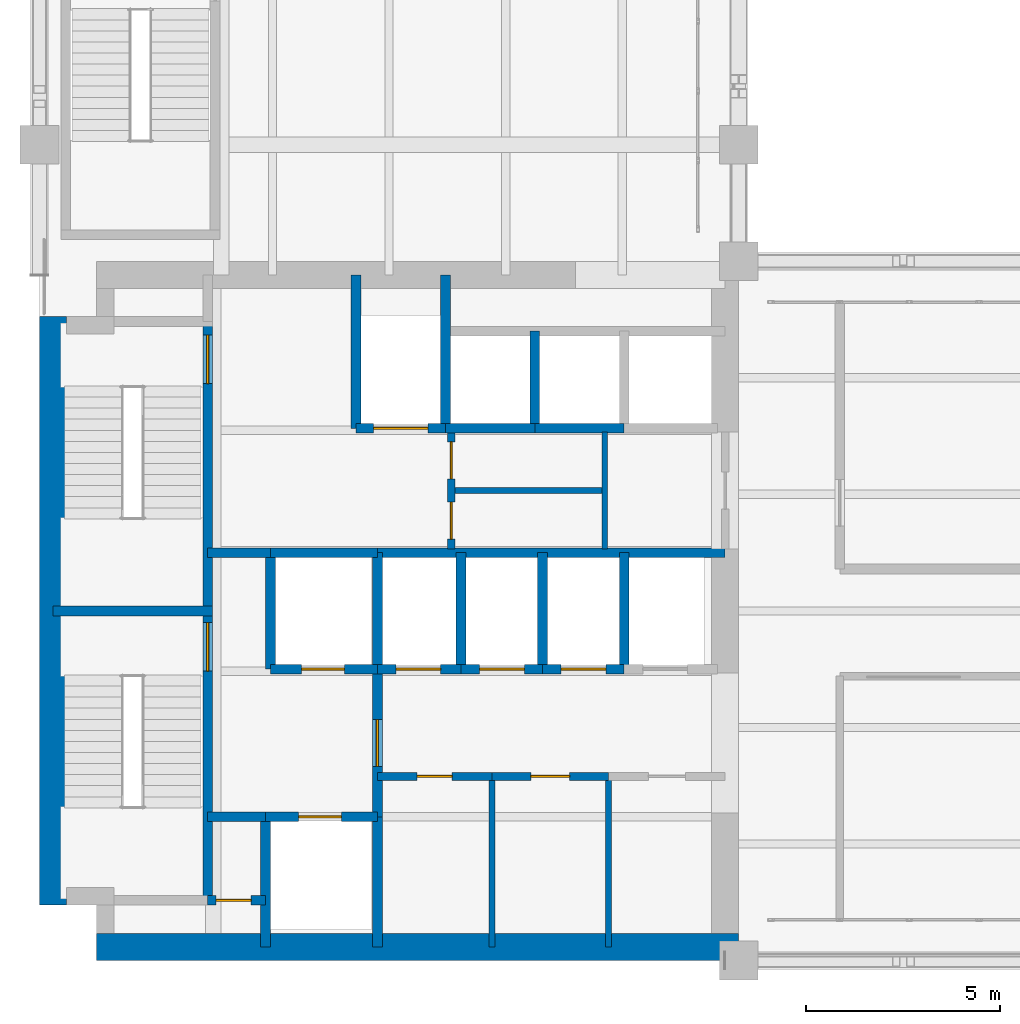
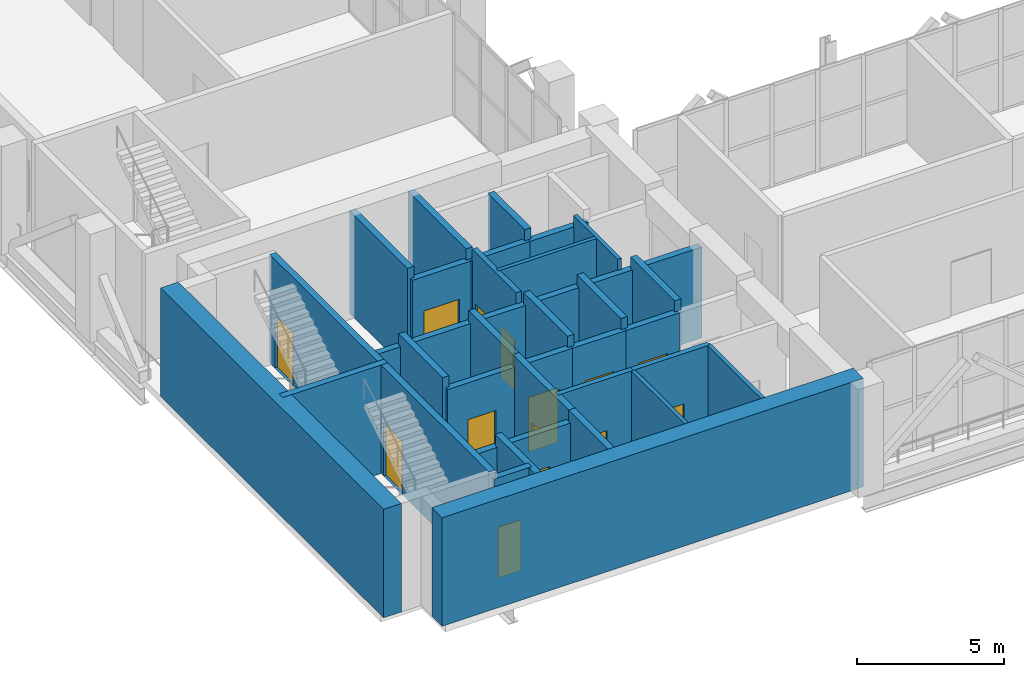
# One storey, part 23 of 27: 36 walls, 14 doors, 14 openings.
"""IFC4 building model written with IfcOpenShell, lengths in metres."""

from ifc_helpers import new_model, si_unit, direction, frame, frame_2d, origin, place, context, subcontext, project, spatial, rectangle, extrude, material, layer, layer_set, type_object, element, fill, save


model = new_model("IFC4")

# Units and contexts
model_context = context("Model", 3, precision=1e-05, world=origin(), true_north=direction((0.0, 1.0)))
body_context = subcontext(model_context, "Body", "Model", "MODEL_VIEW")
ifc_project = project(units=[si_unit("LENGTHUNIT", "METRE"), si_unit("AREAUNIT", "SQUARE_METRE"), si_unit("VOLUMEUNIT", "CUBIC_METRE"), si_unit("PLANEANGLEUNIT", "RADIAN"), si_unit("MASSUNIT", "GRAM", prefix="KILO")], contexts=[model_context])

# Site, building, storey
site_placement = place(None, origin())
site = spatial("IfcSite", under=ifc_project, at=site_placement, CompositionType="ELEMENT")
building_placement = place(site_placement, origin())
building = spatial("IfcBuilding", under=site, at=building_placement, Name="Mawjdan Bourse Tower", CompositionType="ELEMENT")
storey_placement = place(building_placement, frame((0.0, 0.0, 155.699951171875)))
storey = spatial("IfcBuildingStorey", under=building, at=storey_placement, Name="L37", CompositionType="ELEMENT", Elevation=155.699951171875)

# Wall, opening, door
ifc_material_1 = material(Name="Gypsum Fireboard Assembly")
ifc_layer_1 = layer(ifc_material_1, 0.199951171875)
ifc_layer_set_1 = layer_set([ifc_layer_1], Name="Gypsum Fireboard Assembly")
wall_type_1 = type_object("IfcWallType", Name="WL-CMP-200", PredefinedType="PARTITIONING", material=ifc_layer_set_1)
wall_1_placement = place(storey_placement, frame((14.699951171875, 7.739990234375, 0.0), z_axis=(0.0, 0.0, 1.0), x_axis=(1.0, 0.0, 0.0)))
wall_1 = element("IfcWall", 1, at=wall_1_placement, inside=storey, type_object=wall_type_1, Name="L37 IT & Telemetry Room North Wall", PredefinedType="PARTITIONING", context=body_context, shape_type="SweptSolid", body=[
    extrude(rectangle(XDim=2.949951171875, YDim=0.199951171875, at=frame_2d((1.47509765625, 0.0))), origin(), (0.0, 0.0, 1.0), 4.239990234375),
])
opening_1_placement = place(wall_1_placement, frame((1.02490234375, 0.0, 0.0)))
opening_1 = element("IfcOpeningElement", 2, at=opening_1_placement, cuts=wall_1, Name="Opening D-L37-10", PredefinedType="OPENING", context=body_context, shape_type="SweptSolid", body=[
    extrude(rectangle(XDim=0.89990234375, YDim=2.10009765625, at=frame_2d((0.449951171875, 1.050048828125))), frame((0.0, 0.10986328125, 0.0), z_axis=(0.0, -1.0, 0.0), x_axis=(1.0, 0.0, 0.0)), (0.0, 0.0, 1.0), 0.219970703125),
])
ifc_material_2 = material(Name="Fire-Rated Steel Access Leaf", Category="steel")
door_type_1 = type_object("IfcDoorType", Name="FD-RSR-0900", OperationType="NOTDEFINED", PredefinedType="TRAPDOOR", material=ifc_material_2)
door_1_placement = place(opening_1_placement, origin())
door_1 = element("IfcDoor", 3, at=door_1_placement, inside=storey, type_object=door_type_1, Name="L37 IT & Telemetry Room Door D-L37-10", OperationType="SINGLE_SWING_RIGHT", OverallHeight=2.10009765625, OverallWidth=0.89990234375, PredefinedType="TRAPDOOR", context=body_context, shape_type="SweptSolid", body=[
    extrude(rectangle(XDim=0.89990234375, YDim=2.10009765625, at=frame_2d((0.449951171875, 1.050048828125))), frame((0.0, 0.02490234375, 0.0), z_axis=(0.0, -1.0, 0.0), x_axis=(1.0, 0.0, 0.0)), (0.0, 0.0, 1.0), 0.050048828125),
])
fill(opening_1, door_1)

wall_2_placement = place(storey_placement, frame((17.64990234375, 7.739990234375, 0.0), z_axis=(0.0, 0.0, 1.0), x_axis=(1.0, 0.0, 0.0)))
wall_2 = element("IfcWall", 4, at=wall_2_placement, inside=storey, type_object=wall_type_1, Name="L37 Mail & Courier Office North Wall", PredefinedType="PARTITIONING", context=body_context, shape_type="SweptSolid", body=[
    extrude(rectangle(XDim=3.0, YDim=0.199951171875, at=frame_2d((1.5, 0.0))), origin(), (0.0, 0.0, 1.0), 4.239990234375),
])
opening_2_placement = place(wall_2_placement, frame((1.0, 0.0, 0.0)))
opening_2 = element("IfcOpeningElement", 5, at=opening_2_placement, cuts=wall_2, Name="Opening D-L37-11", PredefinedType="OPENING", context=body_context, shape_type="SweptSolid", body=[
    extrude(rectangle(XDim=1.0, YDim=2.14990234375, at=frame_2d((0.5, 1.074951171875))), frame((0.0, 0.10986328125, 0.0), z_axis=(0.0, -1.0, 0.0), x_axis=(1.0, 0.0, 0.0)), (0.0, 0.0, 1.0), 0.219970703125),
])
ifc_material_3 = material(Name="Hardwood Acoustic Leaf", Category="wood")
door_type_2 = type_object("IfcDoorType", Name="DR-OFC-1000", OperationType="NOTDEFINED", PredefinedType="DOOR", material=ifc_material_3)
door_2_placement = place(opening_2_placement, origin())
door_2 = element("IfcDoor", 6, at=door_2_placement, inside=storey, type_object=door_type_2, Name="L37 Mail & Courier Office Door D-L37-11", OperationType="SINGLE_SWING_LEFT", OverallHeight=2.14990234375, OverallWidth=1.0, PredefinedType="DOOR", context=body_context, shape_type="SweptSolid", body=[
    extrude(rectangle(XDim=1.0, YDim=2.14990234375, at=frame_2d((0.5, 1.074951171875))), frame((0.0, 0.02490234375, 0.0), z_axis=(0.0, -1.0, 0.0), x_axis=(1.0, 0.0, 0.0)), (0.0, 0.0, 1.0), 0.050048828125),
])
fill(opening_2, door_2)

# Wall, openings, doors
wall_3_placement = place(storey_placement, frame((16.60009765625, 13.60009765625, 0.0), z_axis=(0.0, 0.0, 1.0), x_axis=(0.0, 1.0, 0.0)))
wall_3 = element("IfcWall", 7, at=wall_3_placement, inside=storey, type_object=wall_type_1, Name="L37 Core Restroom West Wall", PredefinedType="PARTITIONING", context=body_context, shape_type="SweptSolid", body=[
    extrude(rectangle(XDim=3.0, YDim=0.199951171875, at=frame_2d((1.5, 0.0))), origin(), (0.0, 0.0, 1.0), 4.239990234375),
])
opening_3_placement = place(wall_3_placement, frame((0.25, 0.0, 0.0)))
opening_3 = element("IfcOpeningElement", 8, at=opening_3_placement, cuts=wall_3, Name="Opening D-L37-17", PredefinedType="OPENING", context=body_context, shape_type="SweptSolid", body=[
    extrude(rectangle(XDim=0.949951171875, YDim=2.10009765625, at=frame_2d((0.47509765625, 1.050048828125))), frame((0.0, 0.10986328125, 0.0), z_axis=(0.0, -1.0, 0.0), x_axis=(1.0, 0.0, 0.0)), (0.0, 0.0, 1.0), 0.219970703125),
])
opening_4_placement = place(wall_3_placement, frame((1.800048828125, 0.0, 0.0)))
opening_4 = element("IfcOpeningElement", 9, at=opening_4_placement, cuts=wall_3, Name="Opening D-L37-18", PredefinedType="OPENING", context=body_context, shape_type="SweptSolid", body=[
    extrude(rectangle(XDim=0.949951171875, YDim=2.10009765625, at=frame_2d((0.47509765625, 1.050048828125))), frame((0.0, 0.10986328125, 0.0), z_axis=(0.0, -1.0, 0.0), x_axis=(1.0, 0.0, 0.0)), (0.0, 0.0, 1.0), 0.219970703125),
])
ifc_material_4 = material(Name="Moisture-Resistant Laminate Timber", Category="wood")
door_type_3 = type_object("IfcDoorType", Name="DR-WET-0950", OperationType="NOTDEFINED", PredefinedType="DOOR", material=ifc_material_4)
door_3_placement = place(opening_3_placement, origin())
door_3 = element("IfcDoor", 10, at=door_3_placement, inside=storey, type_object=door_type_3, Name="L37 Accessible WC West Entry Door D-L37-17", OperationType="SINGLE_SWING_LEFT", OverallHeight=2.10009765625, OverallWidth=0.949951171875, PredefinedType="DOOR", context=body_context, shape_type="SweptSolid", body=[
    extrude(rectangle(XDim=0.949951171875, YDim=2.10009765625, at=frame_2d((0.47509765625, 1.050048828125))), frame((0.0, 0.02490234375, 0.0), z_axis=(0.0, -1.0, 0.0), x_axis=(1.0, 0.0, 0.0)), (0.0, 0.0, 1.0), 0.050048828125),
])
fill(opening_3, door_3)
door_4_placement = place(opening_4_placement, origin())
door_4 = element("IfcDoor", 11, at=door_4_placement, inside=storey, type_object=door_type_3, Name="L37 Male Restroom West Entry Door D-L37-18", OperationType="SINGLE_SWING_RIGHT", OverallHeight=2.10009765625, OverallWidth=0.949951171875, PredefinedType="DOOR", context=body_context, shape_type="SweptSolid", body=[
    extrude(rectangle(XDim=0.949951171875, YDim=2.10009765625, at=frame_2d((0.47509765625, 1.050048828125))), frame((0.0, 0.02490234375, 0.0), z_axis=(0.0, -1.0, 0.0), x_axis=(1.0, 0.0, 0.0)), (0.0, 0.0, 1.0), 0.050048828125),
])
fill(opening_4, door_4)

# Walls
ifc_material_5 = material(Name="Concrete C70/85", Category="concrete")
ifc_layer_2 = layer(ifc_material_5, 0.699951171875)
ifc_layer_set_2 = layer_set([ifc_layer_2], Name="Concrete C70/85")
wall_type_2 = type_object("IfcWallType", Name="WL-CORE-700", PredefinedType="SHEAR", material=ifc_layer_set_2)
wall_4_placement = place(storey_placement, frame((7.47509765625, 3.35009765625, 0.0), z_axis=(0.0, 0.0, 1.0), x_axis=(1.0, 0.0, 0.0)))
element("IfcWall", 12, at=wall_4_placement, inside=storey, type_object=wall_type_2, Name="L37 Rear Core Shear Wall S", PredefinedType="SHEAR", context=body_context, shape_type="SweptSolid", body=[
    extrude(rectangle(XDim=16.52490234375, YDim=0.699951171875, at=frame_2d((8.262451171875, 0.0))), origin(), (0.0, 0.0, 1.0), 4.5),
])
wall_5_placement = place(storey_placement, frame((6.35009765625, 4.425048828125, 0.0), z_axis=(0.0, 0.0, 1.0), x_axis=(0.0, 1.0, 0.0)))
element("IfcWall", 13, at=wall_5_placement, inside=storey, type_object=wall_type_2, Name="L37 Rear Core Shear Wall W", PredefinedType="SHEAR", context=body_context, shape_type="SweptSolid", body=[
    extrude(rectangle(XDim=15.14990234375, YDim=0.699951171875, at=frame_2d((7.574951171875, 0.0))), origin(), (0.0, 0.0, 1.0), 4.5),
])
ifc_material_6 = material(Name="Gypsum Acoustic Partition")
ifc_layer_3 = layer(ifc_material_6, 0.14990234375)
ifc_layer_set_3 = layer_set([ifc_layer_3], Name="Gypsum Acoustic Partition")
wall_type_3 = type_object("IfcWallType", Name="WL-PRT-150", PredefinedType="PARTITIONING", material=ifc_layer_set_3)
for number, where, z_axis, x_axis, name in (
    (14, (17.64990234375, 3.35009765625, 0.0), (0.0, 0.0, 1.0), (0.0, 1.0, 0.0), "L37 Mail & Courier Office Core Split Wall"),
    (15, (20.64990234375, 3.35009765625, 0.0), (0.0, 0.0, 1.0), (0.0, 1.0, 0.0), "L37 Staff Refreshment Pantry Core Split Wall"),
):
    element("IfcWall", number, at=place(storey_placement, frame(where, z_axis=z_axis, x_axis=x_axis)), inside=storey, type_object=wall_type_3, Name=name, PredefinedType="PARTITIONING", context=body_context, shape_type="SweptSolid", body=[
        extrude(rectangle(XDim=4.389892578125, YDim=0.14990234375, at=frame_2d((2.19482421875, 0.0))), origin(), (0.0, 0.0, 1.0), 4.239990234375),
    ])
wall_6_placement = place(storey_placement, frame((16.60009765625, 15.10009765625, 0.0), z_axis=(0.0, 0.0, 1.0), x_axis=(1.0, 0.0, 0.0)))
element("IfcWall", 16, at=wall_6_placement, inside=storey, type_object=wall_type_3, Name="L37 Core Restroom West Horizontal Split", PredefinedType="PARTITIONING", context=body_context, shape_type="SweptSolid", body=[
    extrude(rectangle(XDim=3.949951171875, YDim=0.14990234375, at=frame_2d((1.97509765625, 0.0))), origin(), (0.0, 0.0, 1.0), 4.239990234375),
])
wall_7_placement = place(storey_placement, frame((20.550048828125, 13.60009765625, 0.0), z_axis=(0.0, 0.0, 1.0), x_axis=(0.0, 1.0, 0.0)))
element("IfcWall", 17, at=wall_7_placement, inside=storey, type_object=wall_type_3, Name="L37 Core Restroom Vertical Split", PredefinedType="PARTITIONING", context=body_context, shape_type="SweptSolid", body=[
    extrude(rectangle(XDim=3.0, YDim=0.14990234375, at=frame_2d((1.5, 0.0))), origin(), (0.0, 0.0, 1.0), 4.239990234375),
])

# Wall, opening, door
ifc_material_7 = material(Name="Concrete C50/60", Category="concrete")
ifc_layer_4 = layer(ifc_material_7, 0.25)
ifc_layer_set_4 = layer_set([ifc_layer_4], Name="Concrete C50/60")
wall_type_4 = type_object("IfcWallType", Name="WL-SHFT-250", PredefinedType="PARTITIONING", material=ifc_layer_set_4)
wall_8_placement = place(storey_placement, frame((10.330078125, 4.550048828125, 0.0), z_axis=(0.0, 0.0, 1.0), x_axis=(1.0, 0.0, 0.0)))
wall_8 = element("IfcWall", 18, at=wall_8_placement, inside=storey, type_object=wall_type_4, Name="L37 SW Riser North Wall", PredefinedType="PARTITIONING", context=body_context, shape_type="SweptSolid", body=[
    extrude(rectangle(XDim=1.489990234375, YDim=0.25, at=frame_2d((0.7451171875, 0.0))), origin(), (0.0, 0.0, 1.0), 4.239990234375),
])
opening_5_placement = place(wall_8_placement, frame((0.219970703125, 0.0, 0.0)))
opening_5 = element("IfcOpeningElement", 19, at=opening_5_placement, cuts=wall_8, Name="Opening RD-L37-03", PredefinedType="OPENING", context=body_context, shape_type="SweptSolid", body=[
    extrude(rectangle(XDim=0.89990234375, YDim=2.10009765625, at=frame_2d((0.449951171875, 1.050048828125))), frame((0.0, 0.135009765625, 0.0), z_axis=(0.0, -1.0, 0.0), x_axis=(1.0, 0.0, 0.0)), (0.0, 0.0, 1.0), 0.27001953125),
])
door_5_placement = place(opening_5_placement, origin())
door_5 = element("IfcDoor", 20, at=door_5_placement, inside=storey, type_object=door_type_1, Name="L37 Electrical Riser Access Door RD-L37-03", OperationType="SINGLE_SWING_RIGHT", OverallHeight=2.10009765625, OverallWidth=0.89990234375, PredefinedType="TRAPDOOR", context=body_context, shape_type="SweptSolid", body=[
    extrude(rectangle(XDim=0.89990234375, YDim=2.10009765625, at=frame_2d((0.449951171875, 1.050048828125))), frame((0.0, 0.02490234375, 0.0), z_axis=(0.0, -1.0, 0.0), x_axis=(1.0, 0.0, 0.0)), (0.0, 0.0, 1.0), 0.050048828125),
])
fill(opening_5, door_5)

# Wall
wall_9_placement = place(storey_placement, frame((11.820068359375, 3.35009765625, 0.0), z_axis=(0.0, 0.0, 1.0), x_axis=(0.0, 1.0, 0.0)))
element("IfcWall", 21, at=wall_9_placement, inside=storey, type_object=wall_type_4, Name="L37 SW Riser & FFL01 West Wall", PredefinedType="PARTITIONING", context=body_context, shape_type="SweptSolid", body=[
    extrude(rectangle(XDim=3.349853515625, YDim=0.25, at=frame_2d((1.6748046875, 0.0))), origin(), (0.0, 0.0, 1.0), 4.239990234375),
])

# Wall, opening, door
wall_10_placement = place(storey_placement, frame((11.820068359375, 6.699951171875, 0.0), z_axis=(0.0, 0.0, 1.0), x_axis=(1.0, 0.0, 0.0)))
wall_10 = element("IfcWall", 22, at=wall_10_placement, inside=storey, type_object=wall_type_4, Name="L37 FFL-01 Front Shaft Wall", PredefinedType="PARTITIONING", context=body_context, shape_type="SweptSolid", body=[
    extrude(rectangle(XDim=2.8798828125, YDim=0.25, at=frame_2d((1.43994140625, 0.0))), origin(), (0.0, 0.0, 1.0), 3.777099609375),
])
opening_6_placement = place(wall_10_placement, frame((0.85009765625, 0.0, 0.0)))
opening_6 = element("IfcOpeningElement", 23, at=opening_6_placement, cuts=wall_10, Name="Opening LD-L37-05", PredefinedType="OPENING", context=body_context, shape_type="SweptSolid", body=[
    extrude(rectangle(XDim=1.10009765625, YDim=2.25, at=frame_2d((0.550048828125, 1.125))), frame((0.0, 0.135009765625, 0.0), z_axis=(0.0, -1.0, 0.0), x_axis=(1.0, 0.0, 0.0)), (0.0, 0.0, 1.0), 0.27001953125),
])
ifc_material_8 = material(Name="Brushed Stainless Steel", Category="steel")
door_type_4 = type_object("IfcDoorType", Name="LD-FFL-1100", OperationType="DOUBLE_DOOR_SLIDING", PredefinedType="DOOR", material=ifc_material_8)
door_6_placement = place(opening_6_placement, origin())
door_6 = element("IfcDoor", 24, at=door_6_placement, inside=storey, type_object=door_type_4, Name="L37 Firefighting Lift FFL-01 Landing Door LD-L37-05", OperationType="DOUBLE_DOOR_SLIDING", OverallHeight=2.25, OverallWidth=1.10009765625, PredefinedType="DOOR", context=body_context, shape_type="SweptSolid", body=[
    extrude(rectangle(XDim=1.10009765625, YDim=2.25, at=frame_2d((0.550048828125, 1.125))), frame((0.0, 0.02490234375, 0.0), z_axis=(0.0, -1.0, 0.0), x_axis=(1.0, 0.0, 0.0)), (0.0, 0.0, 1.0), 0.050048828125),
])
fill(opening_6, door_6)

# Wall
wall_11_placement = place(storey_placement, frame((14.699951171875, 3.35009765625, 0.0), z_axis=(0.0, 0.0, 1.0), x_axis=(0.0, 1.0, 0.0)))
element("IfcWall", 25, at=wall_11_placement, inside=storey, type_object=wall_type_4, Name="L37 FFL-01 East Shaft Wall", PredefinedType="PARTITIONING", context=body_context, shape_type="SweptSolid", body=[
    extrude(rectangle(XDim=3.349853515625, YDim=0.25, at=frame_2d((1.6748046875, 0.0))), origin(), (0.0, 0.0, 1.0), 4.239990234375),
])

# Wall, opening, door
wall_12_placement = place(storey_placement, frame((11.949951171875, 10.5, 0.0), z_axis=(0.0, 0.0, 1.0), x_axis=(1.0, 0.0, 0.0)))
wall_12 = element("IfcWall", 26, at=wall_12_placement, inside=storey, type_object=wall_type_4, Name="L37 FFL-02 Front Shaft Wall", PredefinedType="PARTITIONING", context=body_context, shape_type="SweptSolid", body=[
    extrude(rectangle(XDim=2.75, YDim=0.25, at=frame_2d((1.375, 0.0))), origin(), (0.0, 0.0, 1.0), 3.777099609375),
])
opening_7_placement = place(wall_12_placement, frame((0.800048828125, 0.0, 0.0)))
opening_7 = element("IfcOpeningElement", 27, at=opening_7_placement, cuts=wall_12, Name="Opening LD-L37-06", PredefinedType="OPENING", context=body_context, shape_type="SweptSolid", body=[
    extrude(rectangle(XDim=1.10009765625, YDim=2.25, at=frame_2d((0.550048828125, 1.125))), frame((0.0, 0.135009765625, 0.0), z_axis=(0.0, -1.0, 0.0), x_axis=(1.0, 0.0, 0.0)), (0.0, 0.0, 1.0), 0.27001953125),
])
door_7_placement = place(opening_7_placement, origin())
door_7 = element("IfcDoor", 28, at=door_7_placement, inside=storey, type_object=door_type_4, Name="L37 Firefighting Lift FFL-02 Landing Door LD-L37-06", OperationType="DOUBLE_DOOR_SLIDING", OverallHeight=2.25, OverallWidth=1.10009765625, PredefinedType="DOOR", context=body_context, shape_type="SweptSolid", body=[
    extrude(rectangle(XDim=1.10009765625, YDim=2.25, at=frame_2d((0.550048828125, 1.125))), frame((0.0, 0.02490234375, 0.0), z_axis=(0.0, -1.0, 0.0), x_axis=(1.0, 0.0, 0.0)), (0.0, 0.0, 1.0), 0.050048828125),
])
fill(opening_7, door_7)

# Walls
wall_13_placement = place(storey_placement, frame((11.949951171875, 10.5, 0.0), z_axis=(0.0, 0.0, 1.0), x_axis=(0.0, 1.0, 0.0)))
element("IfcWall", 29, at=wall_13_placement, inside=storey, type_object=wall_type_4, Name="L37 FFL-02 West Shaft Wall", PredefinedType="PARTITIONING", context=body_context, shape_type="SweptSolid", body=[
    extrude(rectangle(XDim=3.0, YDim=0.25, at=frame_2d((1.5, 0.0))), origin(), (0.0, 0.0, 1.0), 4.239990234375),
])
wall_14_placement = place(storey_placement, frame((11.949951171875, 13.5, 0.0), z_axis=(0.0, 0.0, 1.0), x_axis=(1.0, 0.0, 0.0)))
element("IfcWall", 30, at=wall_14_placement, inside=storey, type_object=wall_type_4, Name="L37 FFL-02 North Shaft Wall", PredefinedType="PARTITIONING", context=body_context, shape_type="SweptSolid", body=[
    extrude(rectangle(XDim=2.75, YDim=0.25, at=frame_2d((1.375, 0.0))), origin(), (0.0, 0.0, 1.0), 3.777099609375),
])
wall_15_placement = place(storey_placement, frame((14.699951171875, 10.5, 0.0), z_axis=(0.0, 0.0, 1.0), x_axis=(0.0, 1.0, 0.0)))
element("IfcWall", 31, at=wall_15_placement, inside=storey, type_object=wall_type_4, Name="L37 FFL-02 East Shaft Wall", PredefinedType="PARTITIONING", context=body_context, shape_type="SweptSolid", body=[
    extrude(rectangle(XDim=3.0, YDim=0.25, at=frame_2d((1.5, 0.0))), origin(), (0.0, 0.0, 1.0), 4.239990234375),
])

# Wall, opening, door
wall_16_placement = place(storey_placement, frame((14.699951171875, 6.699951171875, 0.0), z_axis=(0.0, 0.0, 1.0), x_axis=(0.0, 1.0, 0.0)))
wall_16 = element("IfcWall", 32, at=wall_16_placement, inside=storey, type_object=wall_type_4, Name="L37 Firefighting Lobby East Compartment Wall", PredefinedType="PARTITIONING", context=body_context, shape_type="SweptSolid", body=[
    extrude(rectangle(XDim=3.800048828125, YDim=0.25, at=frame_2d((1.89990234375, 0.0))), origin(), (0.0, 0.0, 1.0), 4.239990234375),
])
opening_8_placement = place(wall_16_placement, frame((1.300048828125, 0.0, 0.0)))
opening_8 = element("IfcOpeningElement", 33, at=opening_8_placement, cuts=wall_16, Name="Opening FD-L37-07", PredefinedType="OPENING", context=body_context, shape_type="SweptSolid", body=[
    extrude(rectangle(XDim=1.199951171875, YDim=2.199951171875, at=frame_2d((0.60009765625, 1.10009765625))), frame((0.0, 0.135009765625, 0.0), z_axis=(0.0, -1.0, 0.0), x_axis=(1.0, 0.0, 0.0)), (0.0, 0.0, 1.0), 0.27001953125),
])
ifc_material_9 = material(Name="Fire-Rated Steel Leaf", Category="steel")
door_type_5 = type_object("IfcDoorType", Name="FD-FFL-1200", OperationType="NOTDEFINED", PredefinedType="DOOR", material=ifc_material_9)
door_8_placement = place(opening_8_placement, origin())
door_8 = element("IfcDoor", 34, at=door_8_placement, inside=storey, type_object=door_type_5, Name="L37 Firefighting Lobby East Smoke Door FD-L37-07", OperationType="SINGLE_SWING_RIGHT", OverallHeight=2.199951171875, OverallWidth=1.199951171875, PredefinedType="DOOR", context=body_context, shape_type="SweptSolid", body=[
    extrude(rectangle(XDim=1.199951171875, YDim=2.199951171875, at=frame_2d((0.60009765625, 1.10009765625))), frame((0.0, 0.02490234375, 0.0), z_axis=(0.0, -1.0, 0.0), x_axis=(1.0, 0.0, 0.0)), (0.0, 0.0, 1.0), 0.050048828125),
])
fill(opening_8, door_8)

# Walls
wall_17_placement = place(storey_placement, frame((10.330078125, 13.5, 0.0), z_axis=(0.0, 0.0, 1.0), x_axis=(1.0, 0.0, 0.0)))
element("IfcWall", 35, at=wall_17_placement, inside=storey, type_object=wall_type_4, Name="L37 Firefighting Lobby North Compartment Wall", PredefinedType="PARTITIONING", context=body_context, shape_type="SweptSolid", body=[
    extrude(rectangle(XDim=1.619873046875, YDim=0.25, at=frame_2d((0.81005859375, 0.0))), origin(), (0.0, 0.0, 1.0), 3.777099609375),
])
wall_18_placement = place(storey_placement, frame((10.330078125, 6.699951171875, 0.0), z_axis=(0.0, 0.0, 1.0), x_axis=(1.0, 0.0, 0.0)))
element("IfcWall", 36, at=wall_18_placement, inside=storey, type_object=wall_type_4, Name="L37 Firefighting Lobby South Closure Wall", PredefinedType="PARTITIONING", context=body_context, shape_type="SweptSolid", body=[
    extrude(rectangle(XDim=1.489990234375, YDim=0.25, at=frame_2d((0.7451171875, 0.0))), origin(), (0.0, 0.0, 1.0), 3.777099609375),
])

# Wall, opening, door
wall_19_placement = place(storey_placement, frame((14.14990234375, 16.699951171875, 0.0), z_axis=(0.0, 0.0, 1.0), x_axis=(1.0, 0.0, 0.0)))
wall_19 = element("IfcWall", 37, at=wall_19_placement, inside=storey, type_object=wall_type_4, Name="L37 SVL-01 Front Shaft Wall", PredefinedType="PARTITIONING", context=body_context, shape_type="SweptSolid", body=[
    extrude(rectangle(XDim=2.300048828125, YDim=0.25, at=frame_2d((1.14990234375, 0.0))), origin(), (0.0, 0.0, 1.0), 3.777099609375),
])
opening_9_placement = place(wall_19_placement, frame((0.449951171875, 0.0, 0.0)))
opening_9 = element("IfcOpeningElement", 38, at=opening_9_placement, cuts=wall_19, Name="Opening LD-L37-09", PredefinedType="OPENING", context=body_context, shape_type="SweptSolid", body=[
    extrude(rectangle(XDim=1.39990234375, YDim=2.35009765625, at=frame_2d((0.699951171875, 1.175048828125))), frame((0.0, 0.135009765625, 0.0), z_axis=(0.0, -1.0, 0.0), x_axis=(1.0, 0.0, 0.0)), (0.0, 0.0, 1.0), 0.27001953125),
])
ifc_material_10 = material(Name="Heavy-Duty Stainless Steel", Category="steel")
door_type_6 = type_object("IfcDoorType", Name="LD-SRV-1400", OperationType="DOUBLE_DOOR_SLIDING", PredefinedType="DOOR", material=ifc_material_10)
door_9_placement = place(opening_9_placement, origin())
door_9 = element("IfcDoor", 39, at=door_9_placement, inside=storey, type_object=door_type_6, Name="L37 Service Lift SVL-01 Landing Door LD-L37-09", OperationType="DOUBLE_DOOR_SLIDING", OverallHeight=2.35009765625, OverallWidth=1.39990234375, PredefinedType="DOOR", context=body_context, shape_type="SweptSolid", body=[
    extrude(rectangle(XDim=1.39990234375, YDim=2.35009765625, at=frame_2d((0.699951171875, 1.175048828125))), frame((0.0, 0.02490234375, 0.0), z_axis=(0.0, -1.0, 0.0), x_axis=(1.0, 0.0, 0.0)), (0.0, 0.0, 1.0), 0.050048828125),
])
fill(opening_9, door_9)

# Walls
for number, where, z_axis, x_axis, name in (
    (40, (14.14990234375, 16.699951171875, 0.0), (0.0, 0.0, 1.0), (0.0, 1.0, 0.0), "L37 SVL-01 West Shaft Wall"),
    (41, (16.449951171875, 16.699951171875, 0.0), (0.0, 0.0, 1.0), (0.0, 1.0, 0.0), "L37 SVL-01 East Shaft Wall"),
):
    element("IfcWall", number, at=place(storey_placement, frame(where, z_axis=z_axis, x_axis=x_axis)), inside=storey, type_object=wall_type_4, Name=name, PredefinedType="PARTITIONING", context=body_context, shape_type="SweptSolid", body=[
        extrude(rectangle(XDim=3.949951171875, YDim=0.25, at=frame_2d((1.97509765625, 0.0))), origin(), (0.0, 0.0, 1.0), 4.239990234375),
    ])
wall_20_placement = place(storey_placement, frame((16.449951171875, 16.699951171875, 0.0), z_axis=(0.0, 0.0, 1.0), x_axis=(1.0, 0.0, 0.0)))
element("IfcWall", 42, at=wall_20_placement, inside=storey, type_object=wall_type_4, Name="L37 PH-01 Front Wall", PredefinedType="PARTITIONING", context=body_context, shape_type="SweptSolid", body=[
    extrude(rectangle(XDim=2.300048828125, YDim=0.25, at=frame_2d((1.14990234375, 0.0))), origin(), (0.0, 0.0, 1.0), 3.777099609375),
])
wall_21_placement = place(storey_placement, frame((18.75, 16.699951171875, 0.0), z_axis=(0.0, 0.0, 1.0), x_axis=(0.0, 1.0, 0.0)))
element("IfcWall", 43, at=wall_21_placement, inside=storey, type_object=wall_type_4, Name="L37 PH-01 Divider Wall", PredefinedType="PARTITIONING", context=body_context, shape_type="SweptSolid", body=[
    extrude(rectangle(XDim=2.5, YDim=0.25, at=frame_2d((1.25, 0.0))), origin(), (0.0, 0.0, 1.0), 4.239990234375),
])
wall_22_placement = place(storey_placement, frame((18.75, 16.699951171875, 0.0), z_axis=(0.0, 0.0, 1.0), x_axis=(1.0, 0.0, 0.0)))
element("IfcWall", 44, at=wall_22_placement, inside=storey, type_object=wall_type_4, Name="L37 PH-02 Front Wall", PredefinedType="PARTITIONING", context=body_context, shape_type="SweptSolid", body=[
    extrude(rectangle(XDim=2.300048828125, YDim=0.25, at=frame_2d((1.14990234375, 0.0))), origin(), (0.0, 0.0, 1.0), 3.777099609375),
])

# Wall, opening, door
wall_23_placement = place(storey_placement, frame((14.699951171875, 10.5, 0.0), z_axis=(0.0, 0.0, 1.0), x_axis=(1.0, 0.0, 0.0)))
wall_23 = element("IfcWall", 45, at=wall_23_placement, inside=storey, type_object=wall_type_4, Name="L37 PM-01 Front Wall", PredefinedType="PARTITIONING", context=body_context, shape_type="SweptSolid", body=[
    extrude(rectangle(XDim=2.150146484375, YDim=0.25, at=frame_2d((1.0751953125, 0.0))), origin(), (0.0, 0.0, 1.0), 3.777099609375),
])
opening_10_placement = place(wall_23_placement, frame((0.47998046875, 0.0, 0.0)))
opening_10 = element("IfcOpeningElement", 46, at=opening_10_placement, cuts=wall_23, Name="Opening LD-L37-13", PredefinedType="OPENING", context=body_context, shape_type="SweptSolid", body=[
    extrude(rectangle(XDim=1.14990234375, YDim=2.25, at=frame_2d((0.574951171875, 1.125))), frame((0.0, 0.135009765625, 0.0), z_axis=(0.0, -1.0, 0.0), x_axis=(1.0, 0.0, 0.0)), (0.0, 0.0, 1.0), 0.27001953125),
])
door_type_7 = type_object("IfcDoorType", Name="LD-PAS-1150", OperationType="DOUBLE_DOOR_SLIDING", PredefinedType="DOOR", material=ifc_material_8)
door_10_placement = place(opening_10_placement, origin())
door_10 = element("IfcDoor", 47, at=door_10_placement, inside=storey, type_object=door_type_7, Name="L37 Lift PM-01 Landing Door LD-L37-13", OperationType="DOUBLE_DOOR_SLIDING", OverallHeight=2.25, OverallWidth=1.14990234375, PredefinedType="DOOR", context=body_context, shape_type="SweptSolid", body=[
    extrude(rectangle(XDim=1.14990234375, YDim=2.25, at=frame_2d((0.574951171875, 1.125))), frame((0.0, 0.02490234375, 0.0), z_axis=(0.0, -1.0, 0.0), x_axis=(1.0, 0.0, 0.0)), (0.0, 0.0, 1.0), 0.050048828125),
])
fill(opening_10, door_10)

# Wall
wall_24_placement = place(storey_placement, frame((16.85009765625, 10.5, 0.0), z_axis=(0.0, 0.0, 1.0), x_axis=(0.0, 1.0, 0.0)))
element("IfcWall", 48, at=wall_24_placement, inside=storey, type_object=wall_type_4, Name="L37 PM-01 Divider Wall", PredefinedType="PARTITIONING", context=body_context, shape_type="SweptSolid", body=[
    extrude(rectangle(XDim=3.0, YDim=0.25, at=frame_2d((1.5, 0.0))), origin(), (0.0, 0.0, 1.0), 4.239990234375),
])

# Wall, opening, door
wall_25_placement = place(storey_placement, frame((16.85009765625, 10.5, 0.0), z_axis=(0.0, 0.0, 1.0), x_axis=(1.0, 0.0, 0.0)))
wall_25 = element("IfcWall", 49, at=wall_25_placement, inside=storey, type_object=wall_type_4, Name="L37 PM-02 Front Wall", PredefinedType="PARTITIONING", context=body_context, shape_type="SweptSolid", body=[
    extrude(rectangle(XDim=2.099853515625, YDim=0.25, at=frame_2d((1.0498046875, 0.0))), origin(), (0.0, 0.0, 1.0), 3.777099609375),
])
opening_11_placement = place(wall_25_placement, frame((0.47998046875, 0.0, 0.0)))
opening_11 = element("IfcOpeningElement", 50, at=opening_11_placement, cuts=wall_25, Name="Opening LD-L37-14", PredefinedType="OPENING", context=body_context, shape_type="SweptSolid", body=[
    extrude(rectangle(XDim=1.14990234375, YDim=2.25, at=frame_2d((0.574951171875, 1.125))), frame((0.0, 0.135009765625, 0.0), z_axis=(0.0, -1.0, 0.0), x_axis=(1.0, 0.0, 0.0)), (0.0, 0.0, 1.0), 0.27001953125),
])
door_11_placement = place(opening_11_placement, origin())
door_11 = element("IfcDoor", 51, at=door_11_placement, inside=storey, type_object=door_type_7, Name="L37 Lift PM-02 Landing Door LD-L37-14", OperationType="DOUBLE_DOOR_SLIDING", OverallHeight=2.25, OverallWidth=1.14990234375, PredefinedType="DOOR", context=body_context, shape_type="SweptSolid", body=[
    extrude(rectangle(XDim=1.14990234375, YDim=2.25, at=frame_2d((0.574951171875, 1.125))), frame((0.0, 0.02490234375, 0.0), z_axis=(0.0, -1.0, 0.0), x_axis=(1.0, 0.0, 0.0)), (0.0, 0.0, 1.0), 0.050048828125),
])
fill(opening_11, door_11)

# Wall
wall_26_placement = place(storey_placement, frame((18.949951171875, 10.5, 0.0), z_axis=(0.0, 0.0, 1.0), x_axis=(0.0, 1.0, 0.0)))
element("IfcWall", 52, at=wall_26_placement, inside=storey, type_object=wall_type_4, Name="L37 PM-02 Divider Wall", PredefinedType="PARTITIONING", context=body_context, shape_type="SweptSolid", body=[
    extrude(rectangle(XDim=3.0, YDim=0.25, at=frame_2d((1.5, 0.0))), origin(), (0.0, 0.0, 1.0), 4.239990234375),
])

# Wall, opening, door
wall_27_placement = place(storey_placement, frame((18.949951171875, 10.5, 0.0), z_axis=(0.0, 0.0, 1.0), x_axis=(1.0, 0.0, 0.0)))
wall_27 = element("IfcWall", 53, at=wall_27_placement, inside=storey, type_object=wall_type_4, Name="L37 PM-03 Front Wall", PredefinedType="PARTITIONING", context=body_context, shape_type="SweptSolid", body=[
    extrude(rectangle(XDim=2.10009765625, YDim=0.25, at=frame_2d((1.050048828125, 0.0))), origin(), (0.0, 0.0, 1.0), 3.777099609375),
])
opening_12_placement = place(wall_27_placement, frame((0.47998046875, 0.0, 0.0)))
opening_12 = element("IfcOpeningElement", 54, at=opening_12_placement, cuts=wall_27, Name="Opening LD-L37-15", PredefinedType="OPENING", context=body_context, shape_type="SweptSolid", body=[
    extrude(rectangle(XDim=1.14990234375, YDim=2.25, at=frame_2d((0.574951171875, 1.125))), frame((0.0, 0.135009765625, 0.0), z_axis=(0.0, -1.0, 0.0), x_axis=(1.0, 0.0, 0.0)), (0.0, 0.0, 1.0), 0.27001953125),
])
door_12_placement = place(opening_12_placement, origin())
door_12 = element("IfcDoor", 55, at=door_12_placement, inside=storey, type_object=door_type_7, Name="L37 Lift PM-03 Landing Door LD-L37-15", OperationType="DOUBLE_DOOR_SLIDING", OverallHeight=2.25, OverallWidth=1.14990234375, PredefinedType="DOOR", context=body_context, shape_type="SweptSolid", body=[
    extrude(rectangle(XDim=1.14990234375, YDim=2.25, at=frame_2d((0.574951171875, 1.125))), frame((0.0, 0.02490234375, 0.0), z_axis=(0.0, -1.0, 0.0), x_axis=(1.0, 0.0, 0.0)), (0.0, 0.0, 1.0), 0.050048828125),
])
fill(opening_12, door_12)

# Walls
wall_28_placement = place(storey_placement, frame((21.050048828125, 10.5, 0.0), z_axis=(0.0, 0.0, 1.0), x_axis=(0.0, 1.0, 0.0)))
element("IfcWall", 56, at=wall_28_placement, inside=storey, type_object=wall_type_4, Name="L37 PM-03 Divider Wall", PredefinedType="PARTITIONING", context=body_context, shape_type="SweptSolid", body=[
    extrude(rectangle(XDim=3.0, YDim=0.25, at=frame_2d((1.5, 0.0))), origin(), (0.0, 0.0, 1.0), 4.239990234375),
])
wall_29_placement = place(storey_placement, frame((14.699951171875, 13.5, 0.0), z_axis=(0.0, 0.0, 1.0), x_axis=(1.0, 0.0, 0.0)))
element("IfcWall", 57, at=wall_29_placement, inside=storey, type_object=wall_type_4, Name="L37 PM Bank North Shaft Back Wall", PredefinedType="PARTITIONING", context=body_context, shape_type="SweptSolid", body=[
    extrude(rectangle(XDim=8.949951171875, YDim=0.25, at=frame_2d((4.47509765625, 0.0))), origin(), (0.0, 0.0, 1.0), 3.777099609375),
])
ifc_layer_5 = layer(ifc_material_7, 0.25)
ifc_layer_set_5 = layer_set([ifc_layer_5], Name="Concrete C50/60")
wall_type_5 = type_object("IfcWallType", Name="WL-STRW-250", PredefinedType="SHEAR", material=ifc_layer_set_5)
wall_30_placement = place(storey_placement, frame((6.35009765625, 12.0, 0.0), z_axis=(0.0, 0.0, 1.0), x_axis=(1.0, 0.0, 0.0)))
element("IfcWall", 58, at=wall_30_placement, inside=storey, type_object=wall_type_5, Name="L37 Stairwell Dividing Shaft Wall", PredefinedType="SHEAR", context=body_context, shape_type="SweptSolid", body=[
    extrude(rectangle(XDim=4.10498046875, YDim=0.25, at=frame_2d((2.052490234375, 0.0))), origin(), (0.0, 0.0, 1.0), 4.5),
])

# Wall, opening, door
wall_31_placement = place(storey_placement, frame((10.330078125, 4.550048828125, 0.0), z_axis=(0.0, 0.0, 1.0), x_axis=(0.0, 1.0, 0.0)))
wall_31 = element("IfcWall", 59, at=wall_31_placement, inside=storey, type_object=wall_type_5, Name="L37 Stairwell ST1 East Enclosure Wall", PredefinedType="SHEAR", context=body_context, shape_type="SweptSolid", body=[
    extrude(rectangle(XDim=7.449951171875, YDim=0.25, at=frame_2d((3.72509765625, 0.0))), origin(), (0.0, 0.0, 1.0), 4.5),
])
opening_13_placement = place(wall_31_placement, frame((5.89990234375, 0.0, 0.0)))
opening_13 = element("IfcOpeningElement", 60, at=opening_13_placement, cuts=wall_31, Name="Opening SD-L37-01", PredefinedType="OPENING", context=body_context, shape_type="SweptSolid", body=[
    extrude(rectangle(XDim=1.25, YDim=2.199951171875, at=frame_2d((0.625, 1.10009765625))), frame((0.0, 0.135009765625, 0.0), z_axis=(0.0, -1.0, 0.0), x_axis=(1.0, 0.0, 0.0)), (0.0, 0.0, 1.0), 0.27001953125),
])
door_type_8 = type_object("IfcDoorType", Name="FD-ST-1250", OperationType="NOTDEFINED", PredefinedType="DOOR", material=ifc_material_9)
door_13_placement = place(opening_13_placement, origin())
door_13 = element("IfcDoor", 61, at=door_13_placement, inside=storey, type_object=door_type_8, Name="L37 Exit Stair ST1 Fire Door SD-L37-01", OperationType="SINGLE_SWING_RIGHT", OverallHeight=2.199951171875, OverallWidth=1.25, PredefinedType="DOOR", context=body_context, shape_type="SweptSolid", body=[
    extrude(rectangle(XDim=1.25, YDim=2.199951171875, at=frame_2d((0.625, 1.10009765625))), frame((0.0, 0.02490234375, 0.0), z_axis=(0.0, -1.0, 0.0), x_axis=(1.0, 0.0, 0.0)), (0.0, 0.0, 1.0), 0.050048828125),
])
fill(opening_13, door_13)

wall_32_placement = place(storey_placement, frame((10.330078125, 12.0, 0.0), z_axis=(0.0, 0.0, 1.0), x_axis=(0.0, 1.0, 0.0)))
wall_32 = element("IfcWall", 62, at=wall_32_placement, inside=storey, type_object=wall_type_5, Name="L37 Stairwell ST2 East Enclosure Wall", PredefinedType="SHEAR", context=body_context, shape_type="SweptSolid", body=[
    extrude(rectangle(XDim=7.449951171875, YDim=0.25, at=frame_2d((3.72509765625, 0.0))), origin(), (0.0, 0.0, 1.0), 4.5),
])
opening_14_placement = place(wall_32_placement, frame((5.85009765625, 0.0, 0.0)))
opening_14 = element("IfcOpeningElement", 63, at=opening_14_placement, cuts=wall_32, Name="Opening SD-L37-02", PredefinedType="OPENING", context=body_context, shape_type="SweptSolid", body=[
    extrude(rectangle(XDim=1.25, YDim=2.199951171875, at=frame_2d((0.625, 1.10009765625))), frame((0.0, 0.135009765625, 0.0), z_axis=(0.0, -1.0, 0.0), x_axis=(1.0, 0.0, 0.0)), (0.0, 0.0, 1.0), 0.27001953125),
])
door_14_placement = place(opening_14_placement, origin())
door_14 = element("IfcDoor", 64, at=door_14_placement, inside=storey, type_object=door_type_8, Name="L37 Exit Stair ST2 Fire Door SD-L37-02", OperationType="SINGLE_SWING_LEFT", OverallHeight=2.199951171875, OverallWidth=1.25, PredefinedType="DOOR", context=body_context, shape_type="SweptSolid", body=[
    extrude(rectangle(XDim=1.25, YDim=2.199951171875, at=frame_2d((0.625, 1.10009765625))), frame((0.0, 0.02490234375, 0.0), z_axis=(0.0, -1.0, 0.0), x_axis=(1.0, 0.0, 0.0)), (0.0, 0.0, 1.0), 0.050048828125),
])
fill(opening_14, door_14)

save(model, "model.ifc")
